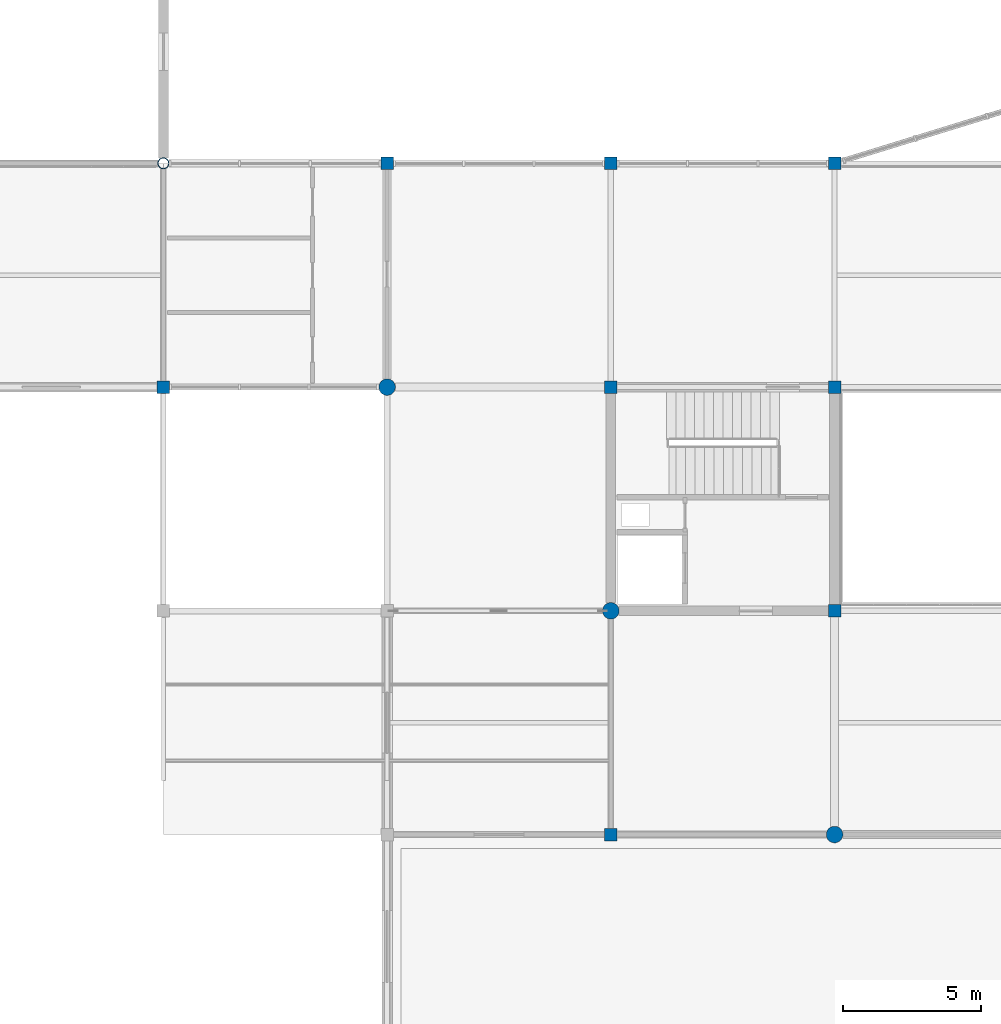
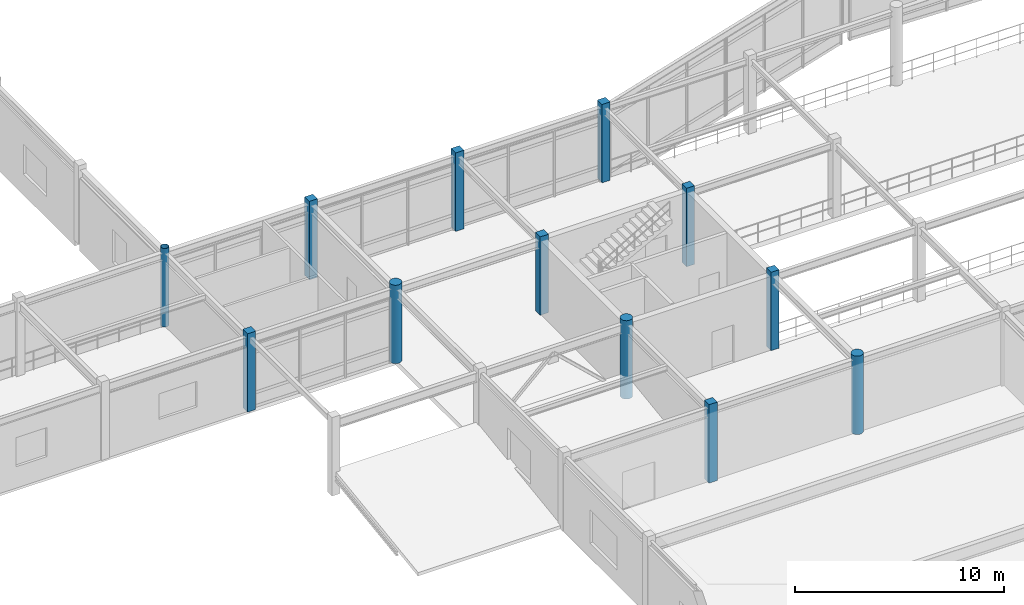
# One storey, part 3 of 93: 12 columns.
"""IFC4 building model written with IfcOpenShell, lengths in metres."""

from ifc_helpers import new_model, si_unit, direction, frame, origin, origin_2d, place, context, subcontext, project, spatial, rectangle, circle, hollow_circle, extrude, material, material_profile, profile_set, type_object, element, save


model = new_model("IFC4")

# Units and contexts
model_context = context("Model", 3, precision=1e-05, world=origin(), true_north=direction((0.0, 1.0)))
body_context = subcontext(model_context, "Body", "Model", "MODEL_VIEW")
ifc_project = project(units=[si_unit("LENGTHUNIT", "METRE"), si_unit("AREAUNIT", "SQUARE_METRE"), si_unit("VOLUMEUNIT", "CUBIC_METRE"), si_unit("PLANEANGLEUNIT", "RADIAN"), si_unit("MASSUNIT", "GRAM", prefix="KILO")], contexts=[model_context])

# Site, building, storey
site_placement = place(None, origin())
site = spatial("IfcSite", under=ifc_project, at=site_placement, CompositionType="ELEMENT")
building_placement = place(site_placement, origin())
building = spatial("IfcBuilding", under=site, at=building_placement, Name="Vaudrelin Polytechnic", CompositionType="ELEMENT")
storey_placement = place(building_placement, frame((0.0, 0.0, 5.10009765625)))
storey = spatial("IfcBuildingStorey", under=building, at=storey_placement, Name="L01", CompositionType="ELEMENT", Elevation=5.10009765625)

# Columns
ifc_material_1 = material(Name="Concrete 40 MPa", Category="concrete")
ifc_material_profile_1 = material_profile(ifc_material_1, rectangle(XDim=0.449951171875, YDim=0.449951171875, at=origin_2d()), Name="RC450x450")
ifc_profile_set_1 = profile_set([ifc_material_profile_1], Name="Concrete 40 MPa")
column_type_1 = type_object("IfcColumnType", Name="COL-C-RC450", PredefinedType="COLUMN", material=ifc_profile_set_1)
for number, where, z_axis, x_axis, name in (
    (1, (32.39990234375, 40.5, 0.0), (0.0, 0.0, 1.0), (1.0, 0.0, 0.0), "Column L01 5-6"),
    (2, (40.5, 48.60009765625, 0.0), (0.0, 0.0, 1.0), (1.0, 0.0, 0.0), "Column L01 6-7"),
    (3, (48.60009765625, 24.300048828125, 0.0), (0.0, 0.0, 1.0), (1.0, 0.0, 0.0), "Column L01 7-4"),
    (4, (48.60009765625, 40.5, 0.0), (0.0, 0.0, 1.0), (1.0, 0.0, 0.0), "Column L01 7-6"),
    (5, (48.60009765625, 48.60009765625, 0.0), (0.0, 0.0, 1.0), (1.0, 0.0, 0.0), "Column L01 7-7"),
    (6, (56.699951171875, 32.39990234375, 0.0), (0.0, 0.0, 1.0), (1.0, 0.0, 0.0), "Column L01 8-5"),
    (7, (56.699951171875, 40.5, 0.0), (0.0, 0.0, 1.0), (1.0, 0.0, 0.0), "Column L01 8-6"),
    (8, (56.699951171875, 48.60009765625, 0.0), (0.0, 0.0, 1.0), (1.0, 0.0, 0.0), "Column L01 8-7"),
):
    element("IfcColumn", number, at=place(storey_placement, frame(where, z_axis=z_axis, x_axis=x_axis)), inside=storey, type_object=column_type_1, Name=name, PredefinedType="COLUMN", context=body_context, shape_type="SweptSolid", body=[
        extrude(rectangle(XDim=0.449951171875, YDim=0.449951171875, at=origin_2d()), origin(), (0.0, 0.0, 1.0), 4.58984375),
    ])
ifc_material_profile_2 = material_profile(ifc_material_1, circle(Radius=0.300048828125, at=origin_2d()), Name="RCCOL600")
ifc_profile_set_2 = profile_set([ifc_material_profile_2], Name="Concrete 40 MPa")
column_type_2 = type_object("IfcColumnType", Name="COL-C-RCD600", PredefinedType="COLUMN", material=ifc_profile_set_2)
for number, where, z_axis, x_axis, name in (
    (9, (40.5, 40.5, 0.0), (0.0, 0.0, 1.0), (1.0, 0.0, 0.0), "Column L01 6-6"),
    (10, (48.60009765625, 32.39990234375, 0.0), (0.0, 0.0, 1.0), (1.0, 0.0, 0.0), "Column L01 7-5"),
    (11, (56.699951171875, 24.300048828125, 0.0), (0.0, 0.0, 1.0), (1.0, 0.0, 0.0), "Column L01 8-4"),
):
    element("IfcColumn", number, at=place(storey_placement, frame(where, z_axis=z_axis, x_axis=x_axis)), inside=storey, type_object=column_type_2, Name=name, PredefinedType="COLUMN", context=body_context, shape_type="SweptSolid", body=[
        extrude(circle(Radius=0.300048828125, at=origin_2d()), origin(), (0.0, 0.0, 1.0), 4.58984375),
    ])
ifc_material_2 = material(Name="Steel CSA G40.21 350WT", Category="steel")
ifc_material_profile_3 = material_profile(ifc_material_2, hollow_circle(Radius=0.203125, WallThickness=0.015869140625, at=origin_2d()), Name="CHS406.4x15.9")
ifc_profile_set_3 = profile_set([ifc_material_profile_3], Name="Steel CSA G40.21 350WT")
column_type_3 = type_object("IfcColumnType", Name="COL-C-TR406", PredefinedType="COLUMN", material=ifc_profile_set_3)
column_placement = place(storey_placement, frame((32.39990234375, 48.60009765625, 0.0), z_axis=(0.0, 0.0, 1.0), x_axis=(1.0, 0.0, 0.0)))
element("IfcColumn", 12, at=column_placement, inside=storey, type_object=column_type_3, Name="Column L01 5-7", PredefinedType="COLUMN", context=body_context, shape_type="SweptSolid", body=[
    extrude(hollow_circle(Radius=0.203125, WallThickness=0.015869140625, at=origin_2d()), origin(), (0.0, 0.0, 1.0), 4.58984375),
])

save(model, "model.ifc")
